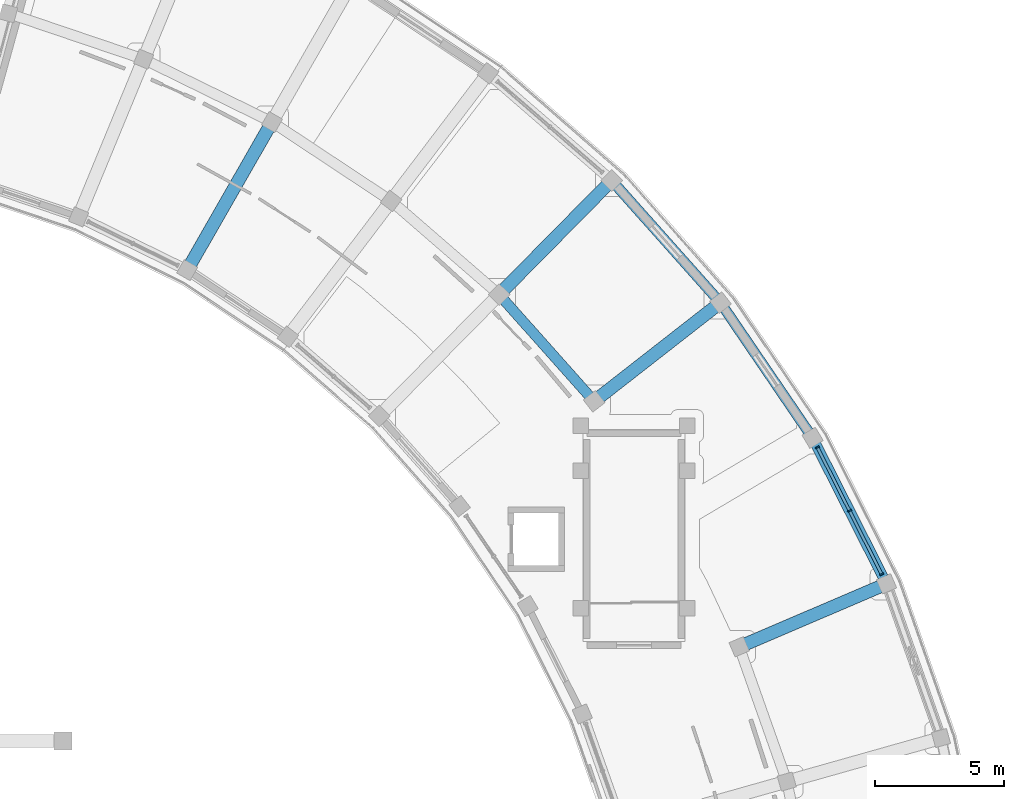
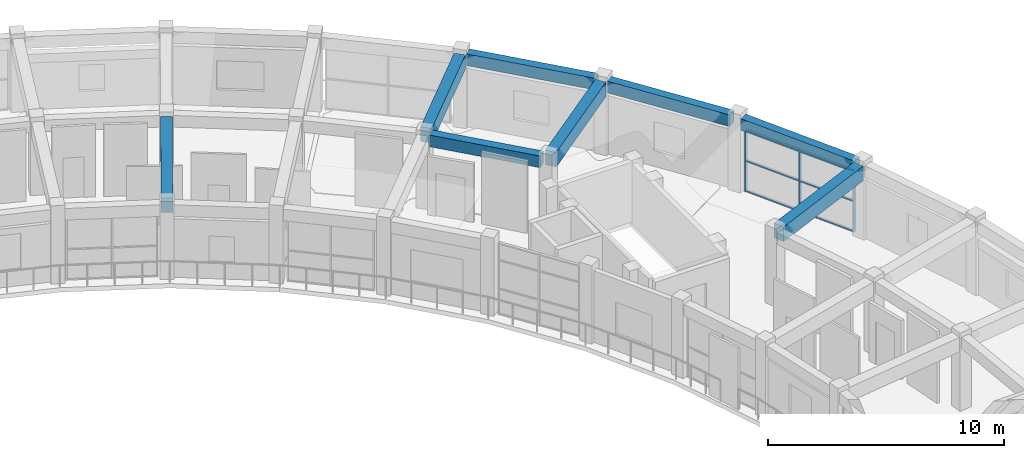
# One storey, part 14 of 29: 9 members, 8 beams, 1 element without a shape of its own.
"""IFC4 building model written with IfcOpenShell, lengths in metres."""

from ifc_helpers import new_model, si_unit, direction, frame, origin, origin_2d, place, context, subcontext, project, spatial, rectangle, extrude, material, material_profile, profile_set, type_object, element, aggregate, save


model = new_model("IFC4")

# Units and contexts
model_context = context("Model", 3, precision=1e-05, world=origin(), true_north=direction((0.0, 1.0)))
body_context = subcontext(model_context, "Body", "Model", "MODEL_VIEW")
ifc_project = project(units=[si_unit("LENGTHUNIT", "METRE"), si_unit("AREAUNIT", "SQUARE_METRE"), si_unit("VOLUMEUNIT", "CUBIC_METRE"), si_unit("PLANEANGLEUNIT", "RADIAN"), si_unit("MASSUNIT", "GRAM", prefix="KILO")], contexts=[model_context])

# Site, building, storey
site_placement = place(None, origin())
site = spatial("IfcSite", under=ifc_project, at=site_placement, CompositionType="ELEMENT")
building_placement = place(site_placement, origin())
building = spatial("IfcBuilding", under=site, at=building_placement, Name="Saryqyr Civic Hall", CompositionType="ELEMENT")
storey_placement = place(building_placement, frame((0.0, 0.0, 25.35009765625)))
storey = spatial("IfcBuildingStorey", under=building, at=storey_placement, Name="L06", CompositionType="ELEMENT", Elevation=25.35009765625)

# Curtain wall, members
ifc_material_1 = material(Name="Anodised aluminium and triple low-E glass", Category="aluminium")
curtain_wall_type = type_object("IfcCurtainWallType", Name="ENV-CW-STD-40", PredefinedType="NOTDEFINED", material=ifc_material_1)
curtain_wall_placement = place(storey_placement, origin())
curtain_wall = element("IfcCurtainWall", 1, at=curtain_wall_placement, inside=storey, type_object=curtain_wall_type, Name="Curtain wall V6-CWO-L06-03", PredefinedType="NOTDEFINED")
ifc_material_2 = material(Name="Anodised aluminium", Category="aluminium")
ifc_material_profile_1 = material_profile(ifc_material_2, rectangle(XDim=0.06005859375, YDim=0.159912109375, at=origin_2d()), Name="ALU MULLION 60x160")
ifc_profile_set_1 = profile_set([ifc_material_profile_1], Name="Anodised aluminium")
member_type_1 = type_object("IfcMemberType", Name="ENV-CW-MUL-180", PredefinedType="MULLION", material=ifc_profile_set_1)
member_1_placement = place(storey_placement, frame((99.375244140625, 108.55419921875, 0.0), z_axis=(0.0, 0.0, 1.0), x_axis=(0.451943063525, -0.892046785394, 0.0)))
member_1 = element("IfcMember", 2, at=member_1_placement, type_object=member_type_1, Name="CW-40 mullion 1", PredefinedType="MULLION", context=body_context, shape_type="SweptSolid", body=[
    extrude(rectangle(XDim=0.06005859375, YDim=0.159912109375, at=origin_2d()), origin(), (0.0, 0.0, 1.0), 3.184814453125),
])
member_2_placement = place(storey_placement, frame((100.619384765625, 106.09814453125, 0.0), z_axis=(0.0, 0.0, 1.0), x_axis=(0.451943063525, -0.892046785394, 0.0)))
member_2 = element("IfcMember", 3, at=member_2_placement, type_object=member_type_1, Name="CW-40 mullion 2", PredefinedType="MULLION", context=body_context, shape_type="SweptSolid", body=[
    extrude(rectangle(XDim=0.06005859375, YDim=0.159912109375, at=origin_2d()), origin(), (0.0, 0.0, 1.0), 3.184814453125),
])
member_3_placement = place(storey_placement, frame((101.863525390625, 103.642333984375, 0.0), z_axis=(0.0, 0.0, 1.0), x_axis=(0.451943063525, -0.892046785394, 0.0)))
member_3 = element("IfcMember", 4, at=member_3_placement, type_object=member_type_1, Name="CW-40 mullion 3", PredefinedType="MULLION", context=body_context, shape_type="SweptSolid", body=[
    extrude(rectangle(XDim=0.06005859375, YDim=0.159912109375, at=origin_2d()), origin(), (0.0, 0.0, 1.0), 3.184814453125),
])
ifc_material_profile_2 = material_profile(ifc_material_2, rectangle(XDim=0.1201171875, YDim=0.06005859375, at=origin_2d()), Name="ALU TRANSOM 120x60")
ifc_profile_set_2 = profile_set([ifc_material_profile_2], Name="Anodised aluminium")
member_type_2 = type_object("IfcMemberType", Name="ENV-CW-TRN-150", PredefinedType="USERDEFINED", material=ifc_profile_set_2)
member_4_placement = place(storey_placement, frame((99.388671875, 108.52734375, 0.02978515625), z_axis=(0.451993646857, -0.892021156252, 0.0), x_axis=(0.892021156252, 0.451993646857, 0.0)))
member_4 = element("IfcMember", 5, at=member_4_placement, type_object=member_type_2, Name="CW-40 transom 1.1", ObjectType="TRANSOM", PredefinedType="USERDEFINED", context=body_context, shape_type="SweptSolid", body=[
    extrude(rectangle(XDim=0.1201171875, YDim=0.06005859375, at=origin_2d()), origin(), (0.0, 0.0, 1.0), 2.693115234375),
])
member_5_placement = place(storey_placement, frame((99.388671875, 108.52734375, 1.593017578125), z_axis=(0.451993646857, -0.892021156252, 0.0), x_axis=(0.892021156252, 0.451993646857, 0.0)))
member_5 = element("IfcMember", 6, at=member_5_placement, type_object=member_type_2, Name="CW-40 transom 1.2", ObjectType="TRANSOM", PredefinedType="USERDEFINED", context=body_context, shape_type="SweptSolid", body=[
    extrude(rectangle(XDim=0.1201171875, YDim=0.06005859375, at=origin_2d()), origin(), (0.0, 0.0, 1.0), 2.693115234375),
])
member_6_placement = place(storey_placement, frame((99.388671875, 108.52734375, 3.15478515625), z_axis=(0.451993646857, -0.892021156252, 0.0), x_axis=(0.892021156252, 0.451993646857, 0.0)))
member_6 = element("IfcMember", 7, at=member_6_placement, type_object=member_type_2, Name="CW-40 transom 1.3", ObjectType="TRANSOM", PredefinedType="USERDEFINED", context=body_context, shape_type="SweptSolid", body=[
    extrude(rectangle(XDim=0.1201171875, YDim=0.06005859375, at=origin_2d()), origin(), (0.0, 0.0, 1.0), 2.693115234375),
])
member_7_placement = place(storey_placement, frame((100.633056640625, 106.071533203125, 0.02978515625), z_axis=(0.451921510026, -0.892057704846, 0.0), x_axis=(0.892057704846, 0.451921510026, 0.0)))
member_7 = element("IfcMember", 8, at=member_7_placement, type_object=member_type_2, Name="CW-40 transom 2.1", ObjectType="TRANSOM", PredefinedType="USERDEFINED", context=body_context, shape_type="SweptSolid", body=[
    extrude(rectangle(XDim=0.1201171875, YDim=0.06005859375, at=origin_2d()), origin(), (0.0, 0.0, 1.0), 2.693115234375),
])
member_8_placement = place(storey_placement, frame((100.633056640625, 106.071533203125, 1.593017578125), z_axis=(0.451921510026, -0.892057704846, 0.0), x_axis=(0.892057704846, 0.451921510026, 0.0)))
member_8 = element("IfcMember", 9, at=member_8_placement, type_object=member_type_2, Name="CW-40 transom 2.2", ObjectType="TRANSOM", PredefinedType="USERDEFINED", context=body_context, shape_type="SweptSolid", body=[
    extrude(rectangle(XDim=0.1201171875, YDim=0.06005859375, at=origin_2d()), origin(), (0.0, 0.0, 1.0), 2.693115234375),
])
member_9_placement = place(storey_placement, frame((100.633056640625, 106.071533203125, 3.15478515625), z_axis=(0.451921510026, -0.892057704846, 0.0), x_axis=(0.892057704846, 0.451921510026, 0.0)))
member_9 = element("IfcMember", 10, at=member_9_placement, type_object=member_type_2, Name="CW-40 transom 2.3", ObjectType="TRANSOM", PredefinedType="USERDEFINED", context=body_context, shape_type="SweptSolid", body=[
    extrude(rectangle(XDim=0.1201171875, YDim=0.06005859375, at=origin_2d()), origin(), (0.0, 0.0, 1.0), 2.693115234375),
])
aggregate(curtain_wall, [member_1, member_2, member_3, member_4, member_5, member_6, member_7, member_8, member_9])

# Beams
ifc_material_3 = material(Name="Concrete C35/45", Category="concrete")
ifc_material_profile_3 = material_profile(ifc_material_3, rectangle(XDim=0.39990234375, YDim=0.60009765625, at=origin_2d()), Name="RC 400x600")
ifc_profile_set_3 = profile_set([ifc_material_profile_3], Name="Concrete C35/45")
beam_type_1 = type_object("IfcBeamType", Name="STR-BM-RC400x600", PredefinedType="BEAM", material=ifc_profile_set_3)
beam_1_placement = place(storey_placement, frame((90.555419921875, 110.541015625, 3.510009765625), z_axis=(-0.664939021665, 0.746897648589, 0.0), x_axis=(-0.746897648589, -0.664939021665, 0.0)))
element("IfcBeam", 11, at=beam_1_placement, inside=storey, type_object=beam_type_1, Name="Beam V6-CBM-MID05-L06", PredefinedType="BEAM", context=body_context, shape_type="SweptSolid", body=[
    extrude(rectangle(XDim=0.39990234375, YDim=0.60009765625, at=origin_2d()), origin(), (0.0, 0.0, 1.0), 4.9775390625),
])
ifc_material_profile_4 = material_profile(ifc_material_3, rectangle(XDim=0.39990234375, YDim=0.60009765625, at=origin_2d()), Name="RC 400x600")
ifc_profile_set_4 = profile_set([ifc_material_profile_4], Name="Concrete C35/45")
beam_type_2 = type_object("IfcBeamType", Name="STR-BM-RC400x600-EXT", PredefinedType="BEAM", material=ifc_profile_set_4)
for number, where, z_axis, x_axis, name in (
    (12, (101.925048828125, 103.52099609375, 3.510009765625), (-0.451922654691, 0.892057124952, 0.0), (-0.892057124952, -0.451922654691, 0.0), "Beam V6-CBM-OUT03-L06"),
    (13, (99.034423828125, 109.148193359375, 3.510009765625), (-0.563115242299, 0.82637837816, 0.0), (-0.82637837816, -0.563115242299, 0.0), "Beam V6-CBM-OUT04-L06"),
    (14, (95.44287109375, 114.35595703125, 3.510009765625), (-0.664935334845, 0.74690093083, 0.0), (-0.74690093083, -0.664935334845, 0.0), "Beam V6-CBM-OUT05-L06"),
):
    element("IfcBeam", number, at=place(storey_placement, frame(where, z_axis=z_axis, x_axis=x_axis)), inside=storey, type_object=beam_type_2, Name=name, PredefinedType="BEAM", context=body_context, shape_type="SweptSolid", body=[
        extrude(rectangle(XDim=0.39990234375, YDim=0.60009765625, at=origin_2d()), origin(), (0.0, 0.0, 1.0), 5.7783203125),
    ])
ifc_material_4 = material(Name="Concrete C40/50", Category="concrete")
ifc_material_profile_5 = material_profile(ifc_material_4, rectangle(XDim=0.5, YDim=0.75, at=origin_2d()), Name="RC 500x750")
ifc_profile_set_5 = profile_set([ifc_material_profile_5], Name="Concrete C40/50")
beam_type_3 = type_object("IfcBeamType", Name="STR-BM-RC500x750", PredefinedType="BEAM", material=ifc_profile_set_5)
for number, where, z_axis, x_axis, name in (
    (15, (96.60205078125, 100.94482421875, 3.434814453125), (0.919375077042, 0.393382088706, 0.0), (-0.393382088706, 0.919375077042, 0.0), "Beam V6-RBM-B03-L06"),
    (16, (90.955078125, 110.5048828125, 3.434814453125), (0.788283067243, 0.615312770791, 0.0), (-0.615312770791, 0.788283067243, 0.0), "Beam V6-RBM-B05-L06"),
    (17, (87.256103515625, 114.659912109375, 3.434814453125), (0.702381187414, 0.711801002785, 0.0), (-0.711801002785, 0.702381187414, 0.0), "Beam V6-RBM-B06-L06"),
):
    element("IfcBeam", number, at=place(storey_placement, frame(where, z_axis=z_axis, x_axis=x_axis)), inside=storey, type_object=beam_type_3, Name=name, PredefinedType="BEAM", context=body_context, shape_type="SweptSolid", body=[
        extrude(rectangle(XDim=0.5, YDim=0.75, at=origin_2d()), origin(), (0.0, 0.0, 1.0), 5.650146484375),
    ])
beam_2_placement = place(storey_placement, frame((75.132568359375, 115.648681640625, 3.434814453125), z_axis=(0.497164210685, 0.867656468664, 0.0), x_axis=(-0.867656468664, 0.497164210685, 0.0)))
element("IfcBeam", 18, at=beam_2_placement, inside=storey, type_object=beam_type_3, Name="Beam V6-RBM-A08-L06", PredefinedType="BEAM", context=body_context, shape_type="SweptSolid", body=[
    extrude(rectangle(XDim=0.5, YDim=0.75, at=origin_2d()), origin(), (0.0, 0.0, 1.0), 6.050048828125),
])

save(model, "model.ifc")
